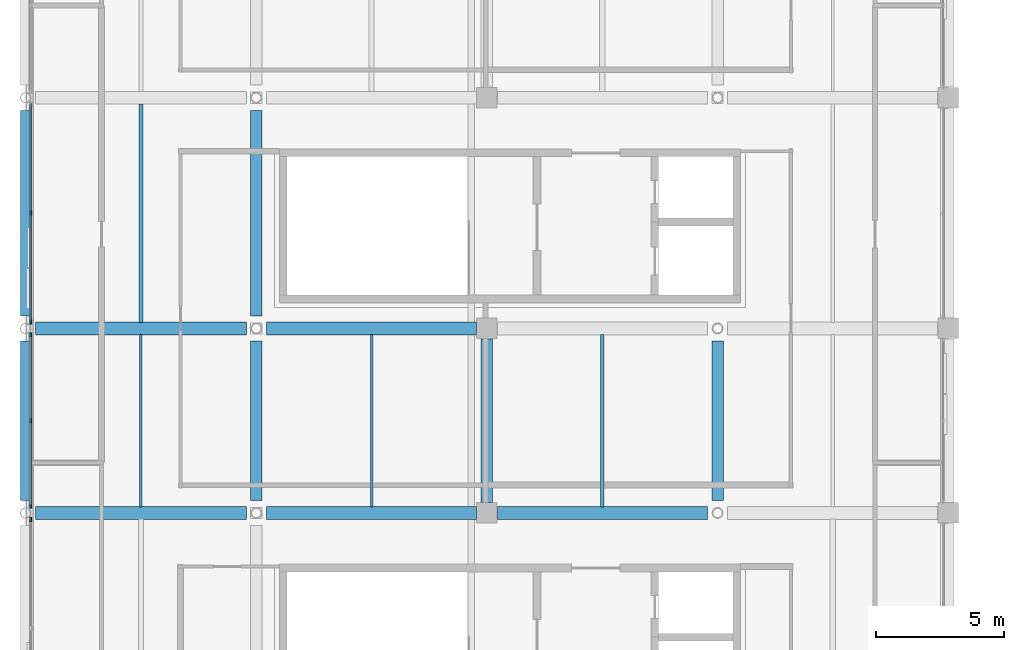
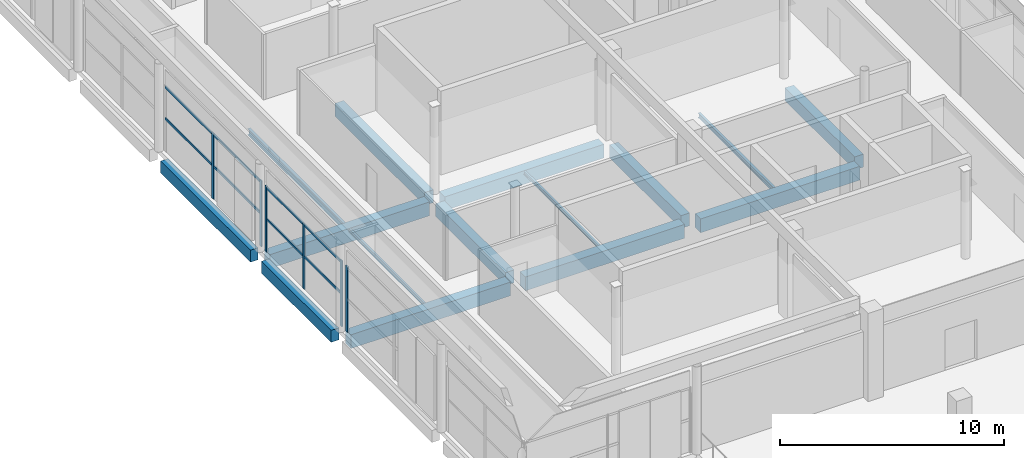
# One storey, part 9 of 114: 15 beams, 10 members, 3 elements without a shape of their own.
"""IFC4 building model written with IfcOpenShell, lengths in metres."""

from ifc_helpers import new_model, si_unit, direction, frame, origin, origin_2d, place, context, subcontext, project, spatial, rectangle, hollow_rectangle, i_section, extrude, material, material_profile, profile_set, type_object, element, aggregate, save


model = new_model("IFC4")

# Units and contexts
model_context = context("Model", 3, precision=1e-05, world=origin(), true_north=direction((0.0, 1.0)))
body_context = subcontext(model_context, "Body", "Model", "MODEL_VIEW")
ifc_project = project(units=[si_unit("LENGTHUNIT", "METRE"), si_unit("AREAUNIT", "SQUARE_METRE"), si_unit("VOLUMEUNIT", "CUBIC_METRE"), si_unit("PLANEANGLEUNIT", "RADIAN"), si_unit("MASSUNIT", "GRAM", prefix="KILO"), si_unit("THERMODYNAMICTEMPERATUREUNIT", "KELVIN"), si_unit("POWERUNIT", "WATT")], contexts=[model_context])

# Site, building, storey
site_placement = place(None, origin())
site = spatial("IfcSite", under=ifc_project, at=site_placement, CompositionType="ELEMENT")
building_placement = place(site_placement, origin())
building = spatial("IfcBuilding", under=site, at=building_placement, Name="Sindhuravela Promenade Stadium", CompositionType="ELEMENT")
storey_placement = place(building_placement, frame((0.0, 0.0, 24.0)))
storey = spatial("IfcBuildingStorey", under=building, at=storey_placement, Name="L05", CompositionType="ELEMENT", Elevation=24.0)

# Curtain wall, member
ifc_material_1 = material(Name="Anodised architectural aluminium 6063-T6", Category="aluminium")
curtain_wall_type_1 = type_object("IfcCurtainWallType", Name="CW-MOD-3", PredefinedType="NOTDEFINED", material=ifc_material_1)
curtain_wall_1_placement = place(storey_placement, origin())
curtain_wall_1 = element("IfcCurtainWall", 1, at=curtain_wall_1_placement, inside=storey, type_object=curtain_wall_type_1, Name="Bronze curtain wall CW-WEST-L05-066", PredefinedType="NOTDEFINED")
ifc_material_profile_1 = material_profile(ifc_material_1, rectangle(XDim=0.074951171875, YDim=0.175048828125, at=origin_2d()), Name="ALU MULL 75x175")
ifc_profile_set_1 = profile_set([ifc_material_profile_1], Name="Anodised architectural aluminium 6063-T6")
member_type_1 = type_object("IfcMemberType", Name="CW-MUL-1", PredefinedType="MULLION", material=ifc_profile_set_1)
member_1_placement = place(storey_placement, frame((0.199951171875, 60.94677734375, 0.0), z_axis=(0.0, 0.0, 1.0), x_axis=(1.0, 0.0, 0.0)))
member_1 = element("IfcMember", 2, at=member_1_placement, type_object=member_type_1, Name="Curtain wall mullion CW-WEST-L05-066-M3", PredefinedType="MULLION", context=body_context, shape_type="SweptSolid", body=[
    extrude(rectangle(XDim=0.074951171875, YDim=0.175048828125, at=origin_2d()), origin(), (0.0, 0.0, 1.0), 3.580078125),
])
aggregate(curtain_wall_1, [member_1])

# Curtain wall, members
curtain_wall_type_2 = type_object("IfcCurtainWallType", Name="CW-MOD-4", PredefinedType="NOTDEFINED", material=ifc_material_1)
curtain_wall_2_placement = place(storey_placement, origin())
curtain_wall_2 = element("IfcCurtainWall", 3, at=curtain_wall_2_placement, inside=storey, type_object=curtain_wall_type_2, Name="Bronze curtain wall CW-WEST-L05-067", PredefinedType="NOTDEFINED")
ifc_material_profile_2 = material_profile(ifc_material_1, rectangle(XDim=0.06494140625, YDim=0.14990234375, at=origin_2d()), Name="ALU MULL 65x150")
ifc_profile_set_2 = profile_set([ifc_material_profile_2], Name="Anodised architectural aluminium 6063-T6")
member_type_2 = type_object("IfcMemberType", Name="CW-MUL-2", PredefinedType="MULLION", material=ifc_profile_set_2)
member_2_placement = place(storey_placement, frame((0.199951171875, 61.453125, 0.0), z_axis=(0.0, 0.0, 1.0), x_axis=(1.0, 0.0, 0.0)))
member_2 = element("IfcMember", 4, at=member_2_placement, type_object=member_type_2, Name="Curtain wall mullion CW-WEST-L05-067-M1", PredefinedType="MULLION", context=body_context, shape_type="SweptSolid", body=[
    extrude(rectangle(XDim=0.06494140625, YDim=0.14990234375, at=origin_2d()), origin(), (0.0, 0.0, 1.0), 3.580078125),
])
member_3_placement = place(storey_placement, frame((0.199951171875, 64.800048828125, 0.0), z_axis=(0.0, 0.0, 1.0), x_axis=(1.0, 0.0, 0.0)))
member_3 = element("IfcMember", 5, at=member_3_placement, type_object=member_type_2, Name="Curtain wall mullion CW-WEST-L05-067-M2", PredefinedType="MULLION", context=body_context, shape_type="SweptSolid", body=[
    extrude(rectangle(XDim=0.06494140625, YDim=0.14990234375, at=origin_2d()), origin(), (0.0, 0.0, 1.0), 3.580078125),
])
member_4_placement = place(storey_placement, frame((0.199951171875, 68.146728515625, 0.0), z_axis=(0.0, 0.0, 1.0), x_axis=(1.0, 0.0, 0.0)))
member_4 = element("IfcMember", 6, at=member_4_placement, type_object=member_type_2, Name="Curtain wall mullion CW-WEST-L05-067-M3", PredefinedType="MULLION", context=body_context, shape_type="SweptSolid", body=[
    extrude(rectangle(XDim=0.06494140625, YDim=0.14990234375, at=origin_2d()), origin(), (0.0, 0.0, 1.0), 3.580078125),
])

curtain_wall_type_3 = type_object("IfcCurtainWallType", Name="CW-MOD-5", PredefinedType="NOTDEFINED", material=ifc_material_1)
curtain_wall_3_placement = place(storey_placement, origin())
curtain_wall_3 = element("IfcCurtainWall", 7, at=curtain_wall_3_placement, inside=storey, type_object=curtain_wall_type_3, Name="Bronze curtain wall CW-WEST-L05-068", PredefinedType="NOTDEFINED")
ifc_material_profile_3 = material_profile(ifc_material_1, rectangle(XDim=0.06005859375, YDim=0.179931640625, at=origin_2d()), Name="ALU M60x180")
ifc_profile_set_3 = profile_set([ifc_material_profile_3], Name="Anodised architectural aluminium 6063-T6")
member_type_3 = type_object("IfcMemberType", Name="CW-MUL-3", PredefinedType="MULLION", material=ifc_profile_set_3)
member_5_placement = place(storey_placement, frame((0.199951171875, 68.6533203125, 0.0), z_axis=(0.0, 0.0, 1.0), x_axis=(1.0, 0.0, 0.0)))
member_5 = element("IfcMember", 8, at=member_5_placement, type_object=member_type_3, Name="Curtain wall mullion CW-WEST-L05-068-M1", PredefinedType="MULLION", context=body_context, shape_type="SweptSolid", body=[
    extrude(rectangle(XDim=0.06005859375, YDim=0.179931640625, at=origin_2d()), origin(), (0.0, 0.0, 1.0), 3.580078125),
])
member_6_placement = place(storey_placement, frame((0.199951171875, 72.89990234375, 0.0), z_axis=(0.0, 0.0, 1.0), x_axis=(1.0, 0.0, 0.0)))
member_6 = element("IfcMember", 9, at=member_6_placement, type_object=member_type_3, Name="Curtain wall mullion CW-WEST-L05-068-M2", PredefinedType="MULLION", context=body_context, shape_type="SweptSolid", body=[
    extrude(rectangle(XDim=0.06005859375, YDim=0.179931640625, at=origin_2d()), origin(), (0.0, 0.0, 1.0), 3.580078125),
])

# Member
ifc_material_profile_4 = material_profile(ifc_material_1, rectangle(XDim=0.06494140625, YDim=0.125, at=origin_2d()), Name="ALU TRAN 65x125")
ifc_profile_set_4 = profile_set([ifc_material_profile_4], Name="Anodised architectural aluminium 6063-T6")
member_type_4 = type_object("IfcMemberType", Name="CW-TRN-2", PredefinedType="USERDEFINED", material=ifc_profile_set_4)
member_7_placement = place(storey_placement, frame((0.199951171875, 61.42822265625, 1.7900390625), z_axis=(0.0, 1.0, 0.0), x_axis=(-1.0, 0.0, 0.0)))
member_7 = element("IfcMember", 10, at=member_7_placement, type_object=member_type_4, Name="Curtain wall transom CW-WEST-L05-067-T1", ObjectType="TRANSOM", PredefinedType="USERDEFINED", context=body_context, shape_type="SweptSolid", body=[
    extrude(rectangle(XDim=0.06494140625, YDim=0.125, at=origin_2d()), origin(), (0.0, 0.0, 1.0), 6.74365234375),
])

member_8_placement = place(storey_placement, frame((0.199951171875, 61.42822265625, 3.5), z_axis=(0.0, 1.0, 0.0), x_axis=(-1.0, 0.0, 0.0)))
member_8 = element("IfcMember", 11, at=member_8_placement, type_object=member_type_4, Name="Curtain wall transom CW-WEST-L05-067-T2", ObjectType="TRANSOM", PredefinedType="USERDEFINED", context=body_context, shape_type="SweptSolid", body=[
    extrude(rectangle(XDim=0.06494140625, YDim=0.125, at=origin_2d()), origin(), (0.0, 0.0, 1.0), 6.74365234375),
])

aggregate(curtain_wall_2, [member_2, member_3, member_4, member_7, member_8])

ifc_material_profile_5 = material_profile(ifc_material_1, rectangle(XDim=0.06005859375, YDim=0.1298828125, at=origin_2d()), Name="ALU T60x130")
ifc_profile_set_5 = profile_set([ifc_material_profile_5], Name="Anodised architectural aluminium 6063-T6")
member_type_5 = type_object("IfcMemberType", Name="CW-TRN-3", PredefinedType="USERDEFINED", material=ifc_profile_set_5)
member_9_placement = place(storey_placement, frame((0.199951171875, 68.628173828125, 1.7900390625), z_axis=(0.0, 1.0, 0.0), x_axis=(-1.0, 0.0, 0.0)))
member_9 = element("IfcMember", 12, at=member_9_placement, type_object=member_type_5, Name="Curtain wall transom CW-WEST-L05-068-T1", ObjectType="TRANSOM", PredefinedType="USERDEFINED", context=body_context, shape_type="SweptSolid", body=[
    extrude(rectangle(XDim=0.06005859375, YDim=0.1298828125, at=origin_2d()), origin(), (0.0, 0.0, 1.0), 8.543701171875),
])

member_10_placement = place(storey_placement, frame((0.199951171875, 68.628173828125, 3.5), z_axis=(0.0, 1.0, 0.0), x_axis=(-1.0, 0.0, 0.0)))
member_10 = element("IfcMember", 13, at=member_10_placement, type_object=member_type_5, Name="Curtain wall transom CW-WEST-L05-068-T2", ObjectType="TRANSOM", PredefinedType="USERDEFINED", context=body_context, shape_type="SweptSolid", body=[
    extrude(rectangle(XDim=0.06005859375, YDim=0.1298828125, at=origin_2d()), origin(), (0.0, 0.0, 1.0), 8.543701171875),
])

aggregate(curtain_wall_3, [member_5, member_6, member_9, member_10])

# Beams
ifc_material_2 = material(Name="Concrete M40", Category="concrete")
ifc_material_profile_6 = material_profile(ifc_material_2, rectangle(XDim=0.39990234375, YDim=0.64990234375, at=origin_2d()), Name="RC 400x650")
ifc_profile_set_6 = profile_set([ifc_material_profile_6], Name="Concrete M40")
beam_type_1 = type_object("IfcBeamType", Name="RC-BM-400x650", PredefinedType="SPANDREL", material=ifc_profile_set_6)
beam_1_placement = place(storey_placement, frame((0.0, 61.68994140625, -0.574951171875), z_axis=(0.0, 1.0, 0.0), x_axis=(-1.0, 0.0, 0.0)))
element("IfcBeam", 14, at=beam_1_placement, inside=storey, type_object=beam_type_1, Name="Primary beam SP01 WEST L05", PredefinedType="SPANDREL", context=body_context, shape_type="SweptSolid", body=[
    extrude(rectangle(XDim=0.39990234375, YDim=0.64990234375, at=origin_2d()), origin(), (0.0, 0.0, 1.0), 6.219970703125),
])
beam_2_placement = place(storey_placement, frame((0.0, 68.889892578125, -0.574951171875), z_axis=(0.0, 1.0, 0.0), x_axis=(-1.0, 0.0, 0.0)))
element("IfcBeam", 15, at=beam_2_placement, inside=storey, type_object=beam_type_1, Name="Primary beam SP01 WEST L05", PredefinedType="SPANDREL", context=body_context, shape_type="SweptSolid", body=[
    extrude(rectangle(XDim=0.39990234375, YDim=0.64990234375, at=origin_2d()), origin(), (0.0, 0.0, 1.0), 8.02001953125),
])
ifc_material_profile_7 = material_profile(ifc_material_2, rectangle(XDim=0.449951171875, YDim=0.699951171875, at=origin_2d()), Name="RC 450x700")
ifc_profile_set_7 = profile_set([ifc_material_profile_7], Name="Concrete M40")
beam_type_2 = type_object("IfcBeamType", Name="RC-BM-450x700", PredefinedType="BEAM", material=ifc_profile_set_7)
beam_3_placement = place(storey_placement, frame((9.0, 61.68994140625, -0.60009765625), z_axis=(0.0, 1.0, 0.0), x_axis=(-1.0, 0.0, 0.0)))
element("IfcBeam", 16, at=beam_3_placement, inside=storey, type_object=beam_type_2, Name="Primary beam GB07 WEST L05", PredefinedType="BEAM", context=body_context, shape_type="SweptSolid", body=[
    extrude(rectangle(XDim=0.449951171875, YDim=0.699951171875, at=origin_2d()), origin(), (0.0, 0.0, 1.0), 6.219970703125),
])
beam_4_placement = place(storey_placement, frame((9.0, 68.889892578125, -0.60009765625), z_axis=(0.0, 1.0, 0.0), x_axis=(-1.0, 0.0, 0.0)))
element("IfcBeam", 17, at=beam_4_placement, inside=storey, type_object=beam_type_2, Name="Primary beam GB07 WEST L05", PredefinedType="BEAM", context=body_context, shape_type="SweptSolid", body=[
    extrude(rectangle(XDim=0.449951171875, YDim=0.699951171875, at=origin_2d()), origin(), (0.0, 0.0, 1.0), 8.02001953125),
])
beam_5_placement = place(storey_placement, frame((18.0, 61.614990234375, -0.60009765625), z_axis=(0.0, 1.0, 0.0), x_axis=(-1.0, 0.0, 0.0)))
element("IfcBeam", 18, at=beam_5_placement, inside=storey, type_object=beam_type_2, Name="Primary beam GB07 WEST L05", PredefinedType="BEAM", context=body_context, shape_type="SweptSolid", body=[
    extrude(rectangle(XDim=0.449951171875, YDim=0.699951171875, at=origin_2d()), origin(), (0.0, 0.0, 1.0), 6.3701171875),
])
beam_6_placement = place(storey_placement, frame((27.0, 61.68994140625, -0.60009765625), z_axis=(0.0, 1.0, 0.0), x_axis=(-1.0, 0.0, 0.0)))
element("IfcBeam", 19, at=beam_6_placement, inside=storey, type_object=beam_type_2, Name="Primary beam GB07 WEST L05", PredefinedType="BEAM", context=body_context, shape_type="SweptSolid", body=[
    extrude(rectangle(XDim=0.449951171875, YDim=0.699951171875, at=origin_2d()), origin(), (0.0, 0.0, 1.0), 6.219970703125),
])
ifc_material_profile_8 = material_profile(ifc_material_2, rectangle(XDim=0.5, YDim=0.75, at=origin_2d()), Name="RC 500x750")
ifc_profile_set_8 = profile_set([ifc_material_profile_8], Name="Concrete M40")
beam_type_3 = type_object("IfcBeamType", Name="RC-BM-500x750", PredefinedType="BEAM", material=ifc_profile_set_8)
beam_7_placement = place(storey_placement, frame((0.389892578125, 61.199951171875, -0.625), z_axis=(1.0, 0.0, 0.0), x_axis=(0.0, 1.0, 0.0)))
element("IfcBeam", 20, at=beam_7_placement, inside=storey, type_object=beam_type_3, Name="Primary girder GB06 WEST L05", PredefinedType="BEAM", context=body_context, shape_type="SweptSolid", body=[
    extrude(rectangle(XDim=0.5, YDim=0.75, at=origin_2d()), origin(), (0.0, 0.0, 1.0), 8.22021484375),
])
for number, where, z_axis, x_axis, name in (
    (21, (9.389892578125, 61.199951171875, -0.625), (1.0, 0.0, 0.0), (0.0, 1.0, 0.0), "Primary girder GB06 WEST L05"),
    (22, (18.4150390625, 61.199951171875, -0.625), (1.0, 0.0, 0.0), (0.0, 1.0, 0.0), "Primary girder GB06 WEST L05"),
):
    element("IfcBeam", number, at=place(storey_placement, frame(where, z_axis=z_axis, x_axis=x_axis)), inside=storey, type_object=beam_type_3, Name=name, PredefinedType="BEAM", context=body_context, shape_type="SweptSolid", body=[
        extrude(rectangle(XDim=0.5, YDim=0.75, at=origin_2d()), origin(), (0.0, 0.0, 1.0), 8.195068359375),
    ])
beam_8_placement = place(storey_placement, frame((0.389892578125, 68.39990234375, -0.625), z_axis=(1.0, 0.0, 0.0), x_axis=(0.0, 1.0, 0.0)))
element("IfcBeam", 23, at=beam_8_placement, inside=storey, type_object=beam_type_3, Name="Primary girder GB06 WEST L05", PredefinedType="BEAM", context=body_context, shape_type="SweptSolid", body=[
    extrude(rectangle(XDim=0.5, YDim=0.75, at=origin_2d()), origin(), (0.0, 0.0, 1.0), 8.22021484375),
])
beam_9_placement = place(storey_placement, frame((9.389892578125, 68.39990234375, -0.625), z_axis=(1.0, 0.0, 0.0), x_axis=(0.0, 1.0, 0.0)))
element("IfcBeam", 24, at=beam_9_placement, inside=storey, type_object=beam_type_3, Name="Primary girder GB06 WEST L05", PredefinedType="BEAM", context=body_context, shape_type="SweptSolid", body=[
    extrude(rectangle(XDim=0.5, YDim=0.75, at=origin_2d()), origin(), (0.0, 0.0, 1.0), 8.195068359375),
])
ifc_material_3 = material(Name="Steel E350 (IS 2062 E350BR)", Category="steel")
ifc_material_profile_9 = material_profile(ifc_material_3, hollow_rectangle(XDim=0.10009765625, YDim=0.199951171875, WallThickness=0.008056640625, at=origin_2d()), Name="RHS 200x100x8")
ifc_profile_set_9 = profile_set([ifc_material_profile_9], Name="Steel E350 (IS 2062 E350BR)")
beam_type_4 = type_object("IfcBeamType", Name="ST-BM-LNT200", PredefinedType="LINTEL", material=ifc_profile_set_9)
beam_10_placement = place(storey_placement, frame((4.5, 61.43994140625, -0.35009765625), z_axis=(0.0, 1.0, 0.0), x_axis=(-1.0, 0.0, 0.0)))
element("IfcBeam", 25, at=beam_10_placement, inside=storey, type_object=beam_type_4, Name="Secondary floor joist LN01 WEST L05", PredefinedType="LINTEL", context=body_context, shape_type="SweptSolid", body=[
    extrude(hollow_rectangle(XDim=0.10009765625, YDim=0.199951171875, WallThickness=0.008056640625, at=origin_2d()), origin(), (0.0, 0.0, 1.0), 6.719970703125),
])
ifc_material_profile_10 = material_profile(ifc_material_3, i_section(OverallWidth=0.10009765625, OverallDepth=0.199951171875, WebThickness=0.005615234375, FlangeThickness=0.0107421875, FilletRadius=0.010986328125, at=origin_2d()), Name="ISMB 200")
ifc_profile_set_10 = profile_set([ifc_material_profile_10], Name="Steel E350 (IS 2062 E350BR)")
beam_type_5 = type_object("IfcBeamType", Name="ST-BM-MB200", PredefinedType="JOIST", material=ifc_profile_set_10)
beam_11_placement = place(storey_placement, frame((13.5, 61.43994140625, -0.35009765625), z_axis=(0.0, 1.0, 0.0), x_axis=(-1.0, 0.0, 0.0)))
element("IfcBeam", 26, at=beam_11_placement, inside=storey, type_object=beam_type_5, Name="Secondary floor joist SB01 WEST L05", PredefinedType="JOIST", context=body_context, shape_type="SweptSolid", body=[
    extrude(i_section(OverallWidth=0.10009765625, OverallDepth=0.199951171875, WebThickness=0.005615234375, FlangeThickness=0.0107421875, FilletRadius=0.010986328125, at=origin_2d()), origin(), (0.0, 0.0, 1.0), 6.719970703125),
])
ifc_material_profile_11 = material_profile(ifc_material_3, i_section(OverallWidth=0.125, OverallDepth=0.25, WebThickness=0.0068359375, FlangeThickness=0.012451171875, FilletRadius=0.012939453125, at=origin_2d()), Name="ISMB 250")
ifc_profile_set_11 = profile_set([ifc_material_profile_11], Name="Steel E350 (IS 2062 E350BR)")
beam_type_6 = type_object("IfcBeamType", Name="ST-BM-MB250", PredefinedType="JOIST", material=ifc_profile_set_11)
beam_12_placement = place(storey_placement, frame((22.5, 61.43994140625, -0.375), z_axis=(0.0, 1.0, 0.0), x_axis=(-1.0, 0.0, 0.0)))
element("IfcBeam", 27, at=beam_12_placement, inside=storey, type_object=beam_type_6, Name="Secondary floor joist SB02 WEST L05", PredefinedType="JOIST", context=body_context, shape_type="SweptSolid", body=[
    extrude(i_section(OverallWidth=0.125, OverallDepth=0.25, WebThickness=0.0068359375, FlangeThickness=0.012451171875, FilletRadius=0.012939453125, at=origin_2d()), origin(), (0.0, 0.0, 1.0), 6.719970703125),
])
ifc_material_profile_12 = material_profile(ifc_material_3, i_section(OverallWidth=0.139892578125, OverallDepth=0.35009765625, WebThickness=0.008056640625, FlangeThickness=0.01416015625, FilletRadius=0.013916015625, at=origin_2d()), Name="ISMB 350")
ifc_profile_set_12 = profile_set([ifc_material_profile_12], Name="Steel E350 (IS 2062 E350BR)")
beam_type_7 = type_object("IfcBeamType", Name="ST-BM-MB350", PredefinedType="JOIST", material=ifc_profile_set_12)
beam_13_placement = place(storey_placement, frame((4.5, 68.639892578125, -0.425048828125), z_axis=(0.0, 1.0, 0.0), x_axis=(-1.0, 0.0, 0.0)))
element("IfcBeam", 28, at=beam_13_placement, inside=storey, type_object=beam_type_7, Name="Secondary floor joist SB04 WEST L05", PredefinedType="JOIST", context=body_context, shape_type="SweptSolid", body=[
    extrude(i_section(OverallWidth=0.139892578125, OverallDepth=0.35009765625, WebThickness=0.008056640625, FlangeThickness=0.01416015625, FilletRadius=0.013916015625, at=origin_2d()), origin(), (0.0, 0.0, 1.0), 8.52001953125),
])

save(model, "model.ifc")
